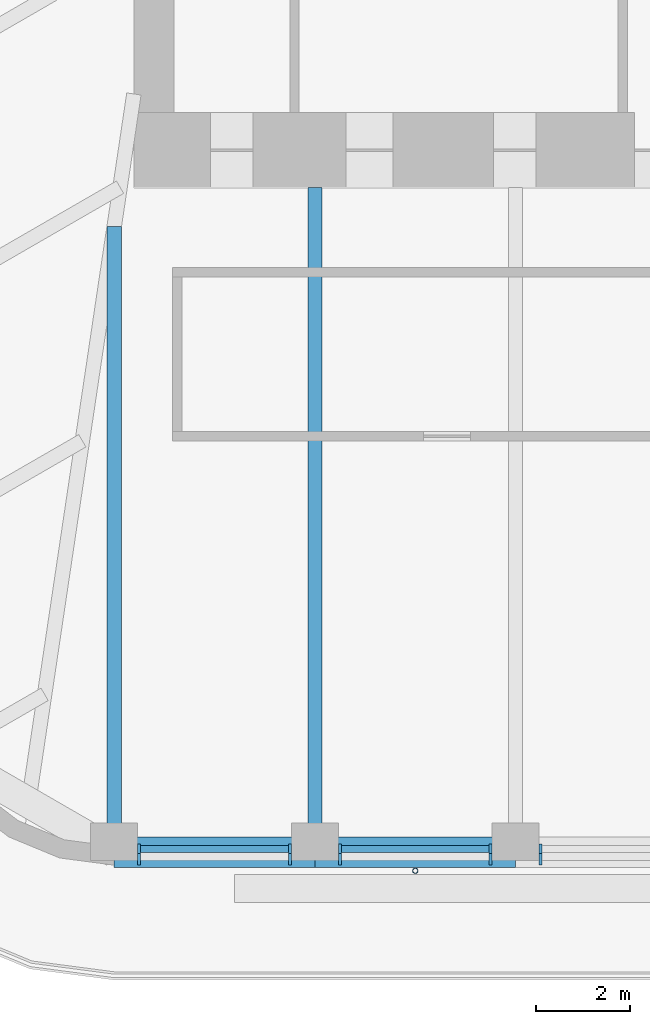
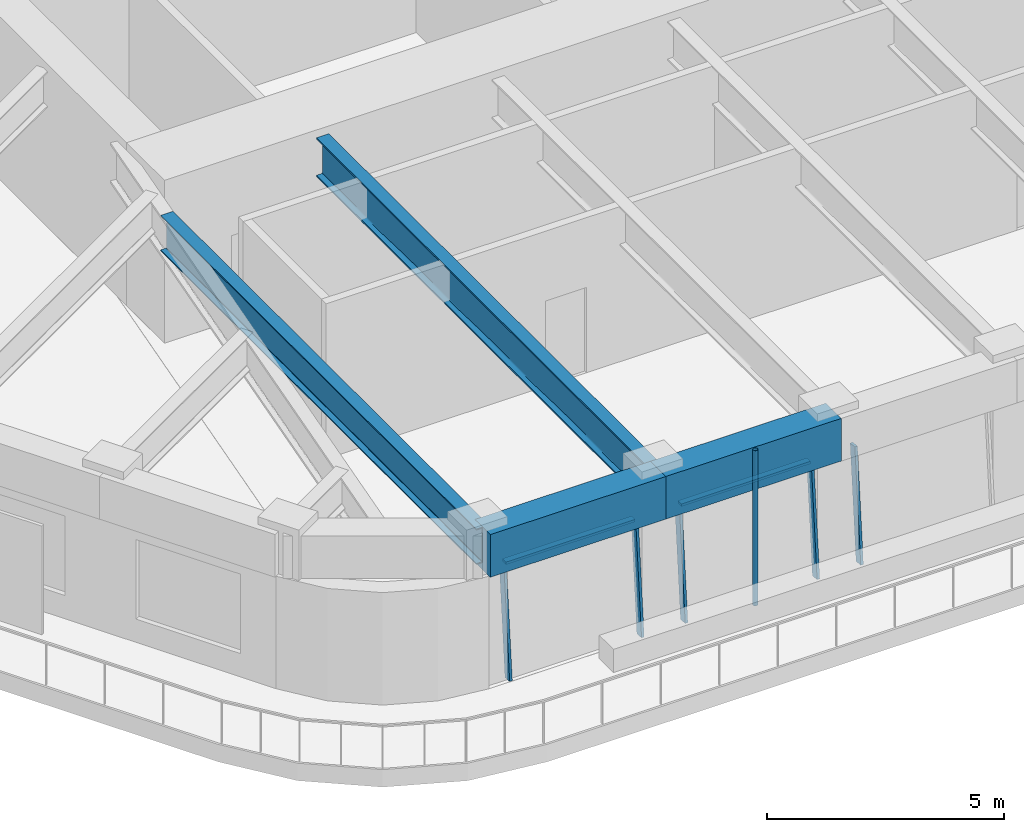
# One storey, part 2 of 19: 8 members, 4 beams, 3 elements without a shape of their own.
"""IFC4 building model written with IfcOpenShell, lengths in metres."""

import ifcopenshell
import ifcopenshell.guid

model = None  # the IFC model being written
_history = None  # IfcOwnerHistory: only IFC2X3 demands one
_inside = {}  # id of a spatial element -> (the spatial element, [elements in it])
_under = {}  # id of a project, library or spatial element -> (it, [spatial elements below it])
_declared = {}  # id of a project -> (the project, [libraries it declares])
_typed = {}  # id of a type object -> (the type object, [elements of that type])
_made_of = {}  # id of a material, layer set ... -> (it, [elements and type objects made of it])


def new_model(schema):
    """Start an empty IFC model of exactly this schema.

    Asked for "IFC4X3", IfcOpenShell would pick the latest addendum, in which some entities
    have other attributes; the version numbers below select the first issue.
    IFC2X3 requires an IfcOwnerHistory on every rooted entity: one is made here for all.
    """
    global model, _history
    if schema == "IFC4X3":
        model = ifcopenshell.file(schema_version=(4, 3, 0, 0))
    else:
        model = ifcopenshell.file(schema=schema)
    _inside.clear()
    _under.clear()
    _declared.clear()
    _typed.clear()
    _made_of.clear()
    _history = None
    if model.schema == "IFC2X3":
        org = make("IfcOrganization", Name="unknown")
        user = make(
            "IfcPersonAndOrganization",
            ThePerson=make("IfcPerson", FamilyName="unknown"),
            TheOrganization=org,
        )
        app = make(
            "IfcApplication",
            ApplicationDeveloper=org,
            Version="unknown",
            ApplicationFullName="unknown",
            ApplicationIdentifier="unknown",
        )
        _history = make(
            "IfcOwnerHistory",
            OwningUser=user,
            OwningApplication=app,
            ChangeAction="ADDED",
            CreationDate=0,
        )
    return model


def make(cls, **values):
    """One entity of the class cls with the attributes given. An attribute that is None is left unset."""
    return model.create_entity(
        cls, **{name: value for name, value in values.items() if value is not None}
    )


def rooted(cls, **values):
    """An entity with a GlobalId (a new one), such as an element, a storey or a relation."""
    return make(cls, GlobalId=ifcopenshell.guid.new(), OwnerHistory=_history, **values)


def si_unit(unit_type, name, prefix=None):
    """IfcSIUnit, for example si_unit("LENGTHUNIT", "METRE", prefix="MILLI")."""
    return make("IfcSIUnit", UnitType=unit_type, Prefix=prefix, Name=name)


def assignment(units):
    """IfcUnitAssignment: the units of a project."""
    return None if units is None else make("IfcUnitAssignment", Units=units)


def point(xyz):
    """IfcCartesianPoint."""
    return None if xyz is None else make("IfcCartesianPoint", Coordinates=xyz)


def direction(xyz):
    """IfcDirection."""
    return None if xyz is None else make("IfcDirection", DirectionRatios=xyz)


def frame(location, z_axis=None, x_axis=None):
    """IfcAxis2Placement3D, a coordinate frame: its origin and axes. An axis left out is left unset."""
    return make(
        "IfcAxis2Placement3D",
        Location=point(location),
        Axis=direction(z_axis),
        RefDirection=direction(x_axis),
    )


def frame_2d(location, x_axis=None):
    """IfcAxis2Placement2D, a coordinate frame in the plane: its origin and x axis."""
    return make(
        "IfcAxis2Placement2D", Location=point(location), RefDirection=direction(x_axis)
    )


def origin():
    """The frame at (0, 0, 0) with its axes left unset."""
    return frame((0.0, 0.0, 0.0))


def origin_2d():
    """The frame at (0, 0) in the plane with its x axis left unset."""
    return frame_2d((0.0, 0.0))


def place(relative_to, where):
    """IfcLocalPlacement: puts the frame where relative to a parent placement (None: the world)."""
    return make(
        "IfcLocalPlacement", PlacementRelTo=relative_to, RelativePlacement=where
    )


def context(
    kind, dimensions, precision=None, world=None, true_north=None, identifier=None
):
    """IfcGeometricRepresentationContext, for example the 3D "Model" context."""
    return make(
        "IfcGeometricRepresentationContext",
        ContextIdentifier=identifier,
        ContextType=kind,
        CoordinateSpaceDimension=dimensions,
        Precision=precision,
        WorldCoordinateSystem=world,
        TrueNorth=true_north,
    )


def subcontext(parent, identifier, kind, view, scale=None):
    """IfcGeometricRepresentationSubContext, for example "Body" below "Model"."""
    return make(
        "IfcGeometricRepresentationSubContext",
        ContextIdentifier=identifier,
        ContextType=kind,
        ParentContext=parent,
        TargetScale=scale,
        TargetView=view,
    )


def project(units=None, contexts=None):
    """IfcProject with its units and contexts."""
    return rooted(
        "IfcProject",
        Name="project",
        RepresentationContexts=contexts,
        UnitsInContext=assignment(units),
    )


def spatial(cls, under=None, at=None, **own):
    """A site, building, storey or space (cls), placed at a placement, below another one or the project."""
    s = rooted(cls, ObjectPlacement=at, **own)
    if under is not None:
        _under.setdefault(under.id(), (under, []))[1].append(s)
    return s


def profile(cls, at=None, kind="AREA", **sizes):
    """A parametric profile (cls). Its sizes go by their IFC names, for example OverallWidth=200.0."""
    return make(cls, ProfileType=kind, Position=at, **sizes)


def rectangle(**sizes):
    """IfcRectangleProfileDef."""
    return profile("IfcRectangleProfileDef", **sizes)


def hollow_circle(**sizes):
    """IfcCircleHollowProfileDef."""
    return profile("IfcCircleHollowProfileDef", **sizes)


def i_section(**sizes):
    """IfcIShapeProfileDef."""
    return profile("IfcIShapeProfileDef", **sizes)


def extrude(swept, where, along, depth):
    """IfcExtrudedAreaSolid: the profile swept, set in the frame where, extruded along a direction by depth."""
    return make(
        "IfcExtrudedAreaSolid",
        SweptArea=swept,
        Position=where,
        ExtrudedDirection=direction(along),
        Depth=depth,
    )


def shape(context_of_items, identifier, shape_type, items):
    """IfcShapeRepresentation: the items that make up one representation, for example the "Body"."""
    return make(
        "IfcShapeRepresentation",
        ContextOfItems=context_of_items,
        RepresentationIdentifier=identifier,
        RepresentationType=shape_type,
        Items=items,
    )


def material(Name=None, Category=None):
    """IfcMaterial."""
    return make("IfcMaterial", Name=Name, Category=Category)


def material_profile(
    of_material, cross_section, Name=None, Category=None, Priority=None
):
    """IfcMaterialProfile: a cross section and its material."""
    return make(
        "IfcMaterialProfile",
        Name=Name,
        Material=of_material,
        Profile=cross_section,
        Priority=Priority,
        Category=Category,
    )


def profile_set(profiles, Name=None, composite=None):
    """IfcMaterialProfileSet."""
    return make(
        "IfcMaterialProfileSet",
        Name=Name,
        MaterialProfiles=profiles,
        CompositeProfile=composite,
    )


def made_of(thing, what):
    """Note that an element or type object is made of a material, layer set ...; save() writes the relation."""
    if what is not None:
        _made_of.setdefault(what.id(), (what, []))[1].append(thing)
    return thing


def type_object(cls, material=None, **own):
    """A type object (cls), such as IfcWallType, which elements share."""
    return made_of(rooted(cls, **own), material)


def element(
    cls,
    number,
    at=None,
    inside=None,
    cuts=None,
    type_object=None,
    material=None,
    context=None,
    identifier="Body",
    shape_type=None,
    held_by="IfcProductDefinitionShape",
    body=None,
    shapes=None,
    **own,
):
    """One element of the class cls, such as IfcWall. Its Tag is "e" and its number.

    at: its placement. inside: the storey or other place that contains it. cuts: it is an
    opening in that element (IfcRelVoidsElement). A single representation is given by context,
    identifier, shape_type and body (its items); several are given by shapes. held_by: the class
    of the entity that holds the representations. save() writes the other relations.
    """
    e = rooted(cls, Tag="e%d" % number, ObjectPlacement=at, **own)
    if body is not None:
        shapes = [shape(context, identifier, shape_type, body)]
    if shapes is not None:
        e.Representation = make(held_by, Representations=shapes)
    if inside is not None:
        _inside.setdefault(inside.id(), (inside, []))[1].append(e)
    if cuts is not None:
        rooted(
            "IfcRelVoidsElement", RelatingBuildingElement=cuts, RelatedOpeningElement=e
        )
    if type_object is not None:
        _typed.setdefault(type_object.id(), (type_object, []))[1].append(e)
    return made_of(e, material)


def aggregate(whole, parts):
    """IfcRelAggregates: a whole, such as a stair, and the parts it consists of."""
    return rooted("IfcRelAggregates", RelatingObject=whole, RelatedObjects=parts)


def save(model, path):
    """Write the relations noted so far, then the file.

    IfcRelAggregates (storeys below a building ...), IfcRelContainedInSpatialStructure (elements
    in a storey), IfcRelDefinesByType, IfcRelAssociatesMaterial and IfcRelDeclares: one each for
    every whole, place, type object, material and project.
    """
    for whole, parts in _under.values():
        aggregate(whole, parts)
    for where, things in _inside.values():
        rooted(
            "IfcRelContainedInSpatialStructure",
            RelatedElements=things,
            RelatingStructure=where,
        )
    for kind, things in _typed.values():
        rooted("IfcRelDefinesByType", RelatedObjects=things, RelatingType=kind)
    for what, things in _made_of.values():
        rooted("IfcRelAssociatesMaterial", RelatedObjects=things, RelatingMaterial=what)
    for by, libraries in _declared.values():
        rooted("IfcRelDeclares", RelatingContext=by, RelatedDefinitions=libraries)
    model.write(path)


model = new_model("IFC4")

# Units and contexts
model_context = context("Model", 3, precision=1e-05, world=origin(), true_north=direction((0.0, 1.0)))
body_context = subcontext(model_context, "Body", "Model", "MODEL_VIEW")
ifc_project = project(units=[si_unit("LENGTHUNIT", "METRE"), si_unit("AREAUNIT", "SQUARE_METRE"), si_unit("VOLUMEUNIT", "CUBIC_METRE"), si_unit("PLANEANGLEUNIT", "RADIAN"), si_unit("MASSUNIT", "GRAM", prefix="KILO")], contexts=[model_context])

# Site, building, storey
site_placement = place(None, origin())
site = spatial("IfcSite", under=ifc_project, at=site_placement, CompositionType="ELEMENT")
building_placement = place(site_placement, origin())
building = spatial("IfcBuilding", under=site, at=building_placement, Name="Tarfa Lantern Tower", CompositionType="ELEMENT")
storey_placement = place(building_placement, frame((0.0, 0.0, 340.89990234375)))
storey = spatial("IfcBuildingStorey", under=building, at=storey_placement, Name="L77", CompositionType="ELEMENT", Elevation=340.89990234375)

# Curtain wall, members
ifc_material_1 = material(Name="Aluminium framed curtain wall", Category="aluminium")
curtain_wall_type = type_object("IfcCurtainWallType", Name="CW4 CANTED GLAZING EXECUTIVE ZONE 2900", PredefinedType="USERDEFINED", material=ifc_material_1)
curtain_wall_1_placement = place(storey_placement, origin())
curtain_wall_1 = element("IfcCurtainWall", 1, at=curtain_wall_1_placement, inside=storey, type_object=curtain_wall_type, Name="CW4 S L77", ObjectType="CURTAIN WALL", PredefinedType="USERDEFINED")
ifc_material_2 = material(Name="Aluminium mullion", Category="aluminium")
ifc_material_profile_1 = material_profile(ifc_material_2, rectangle(XDim=0.06494140625, YDim=0.199951171875, at=origin_2d()), Name="AL MULLION 65x200")
ifc_profile_set_1 = profile_set([ifc_material_profile_1], Name="Aluminium mullion")
member_type_1 = type_object("IfcMemberType", Name="CWM1 MULLION 65x200", PredefinedType="MULLION", material=ifc_profile_set_1)
member_1_placement = place(storey_placement, frame((-12.3134765625, -26.64990234375, 0.0), z_axis=(0.0, 0.085884035992, 0.996305140186), x_axis=(-1.0, 0.0, 0.0)))
member_1 = element("IfcMember", 2, at=member_1_placement, type_object=member_type_1, Name="CW4 mullion 1", PredefinedType="MULLION", context=body_context, shape_type="SweptSolid", body=[
    extrude(rectangle(XDim=0.06494140625, YDim=0.199951171875, at=origin_2d()), origin(), (0.0, 0.0, 1.0), 2.910888671875),
])
member_2_placement = place(storey_placement, frame((-9.096435546875, -26.64990234375, 0.0), z_axis=(0.0, 0.085884035992, 0.996305140186), x_axis=(-1.0, 0.0, 0.0)))
member_2 = element("IfcMember", 3, at=member_2_placement, type_object=member_type_1, Name="CW4 mullion 2", PredefinedType="MULLION", context=body_context, shape_type="SweptSolid", body=[
    extrude(rectangle(XDim=0.06494140625, YDim=0.199951171875, at=origin_2d()), origin(), (0.0, 0.0, 1.0), 2.910888671875),
])

curtain_wall_2_placement = place(storey_placement, origin())
curtain_wall_2 = element("IfcCurtainWall", 4, at=curtain_wall_2_placement, inside=storey, type_object=curtain_wall_type, Name="CW4 S L77", ObjectType="CURTAIN WALL", PredefinedType="USERDEFINED")
member_3_placement = place(storey_placement, frame((-8.031494140625, -26.64990234375, 0.0), z_axis=(0.0, 0.085884035992, 0.996305140186), x_axis=(-1.0, 0.0, 0.0)))
member_3 = element("IfcMember", 5, at=member_3_placement, type_object=member_type_1, Name="CW4 mullion 1", PredefinedType="MULLION", context=body_context, shape_type="SweptSolid", body=[
    extrude(rectangle(XDim=0.06494140625, YDim=0.199951171875, at=origin_2d()), origin(), (0.0, 0.0, 1.0), 2.910888671875),
])
member_4_placement = place(storey_placement, frame((-4.814453125, -26.64990234375, 0.0), z_axis=(0.0, 0.085884035992, 0.996305140186), x_axis=(-1.0, 0.0, 0.0)))
member_4 = element("IfcMember", 6, at=member_4_placement, type_object=member_type_1, Name="CW4 mullion 2", PredefinedType="MULLION", context=body_context, shape_type="SweptSolid", body=[
    extrude(rectangle(XDim=0.06494140625, YDim=0.199951171875, at=origin_2d()), origin(), (0.0, 0.0, 1.0), 2.910888671875),
])

# Curtain wall, member
curtain_wall_3_placement = place(storey_placement, origin())
curtain_wall_3 = element("IfcCurtainWall", 7, at=curtain_wall_3_placement, inside=storey, type_object=curtain_wall_type, Name="CW4 S L77", ObjectType="CURTAIN WALL", PredefinedType="USERDEFINED")
member_5_placement = place(storey_placement, frame((-3.74951171875, -26.64990234375, 0.0), z_axis=(0.0, 0.085884035992, 0.996305140186), x_axis=(-1.0, 0.0, 0.0)))
member_5 = element("IfcMember", 8, at=member_5_placement, type_object=member_type_1, Name="CW4 mullion 1", PredefinedType="MULLION", context=body_context, shape_type="SweptSolid", body=[
    extrude(rectangle(XDim=0.06494140625, YDim=0.199951171875, at=origin_2d()), origin(), (0.0, 0.0, 1.0), 2.910888671875),
])
aggregate(curtain_wall_3, [member_5])

# Member
ifc_material_3 = material(Name="Aluminium transom", Category="aluminium")
ifc_material_profile_2 = material_profile(ifc_material_3, rectangle(XDim=0.14990234375, YDim=0.06494140625, at=origin_2d()), Name="AL TRANSOM 150x65")
ifc_profile_set_2 = profile_set([ifc_material_profile_2], Name="Aluminium transom")
member_type_2 = type_object("IfcMemberType", Name="CWT1 TRANSOM 150x65", PredefinedType="USERDEFINED", material=ifc_profile_set_2)
member_6_placement = place(storey_placement, frame((-12.281005859375, -26.40283203125, 2.86767578125), z_axis=(1.0, 0.0, 0.0), x_axis=(0.0, 1.0, 0.0)))
member_6 = element("IfcMember", 9, at=member_6_placement, type_object=member_type_2, Name="CW4 transom 1.2", ObjectType="TRANSOM", PredefinedType="USERDEFINED", context=body_context, shape_type="SweptSolid", body=[
    extrude(rectangle(XDim=0.14990234375, YDim=0.06494140625, at=origin_2d()), origin(), (0.0, 0.0, 1.0), 3.15185546875),
])

aggregate(curtain_wall_1, [member_1, member_2, member_6])

member_7_placement = place(storey_placement, frame((-7.9990234375, -26.40283203125, 2.86767578125), z_axis=(1.0, 0.0, 0.0), x_axis=(0.0, 1.0, 0.0)))
member_7 = element("IfcMember", 10, at=member_7_placement, type_object=member_type_2, Name="CW4 transom 1.2", ObjectType="TRANSOM", PredefinedType="USERDEFINED", context=body_context, shape_type="SweptSolid", body=[
    extrude(rectangle(XDim=0.14990234375, YDim=0.06494140625, at=origin_2d()), origin(), (0.0, 0.0, 1.0), 3.152099609375),
])

aggregate(curtain_wall_2, [member_3, member_4, member_7])

# Beams
ifc_material_4 = material(Name="Concrete C80/95", Category="concrete")
ifc_material_profile_3 = material_profile(ifc_material_4, rectangle(XDim=0.64990234375, YDim=1.10009765625, at=origin_2d()), Name="RC 650x1100")
ifc_profile_set_3 = profile_set([ifc_material_profile_3], Name="Concrete C80/95")
beam_type_1 = type_object("IfcBeamType", Name="EB4 RC 650x1100", PredefinedType="SPANDREL", material=ifc_profile_set_3)
for number, where, z_axis, x_axis, name in (
    (11, (-12.845947265625, -26.469970703125, 3.4501953125), (1.0, 0.0, 0.0), (0.0, 1.0, 0.0), "Edge beam S0"),
    (12, (-8.56396484375, -26.469970703125, 3.4501953125), (1.0, 0.0, 0.0), (0.0, 1.0, 0.0), "Edge beam S1"),
):
    element("IfcBeam", number, at=place(storey_placement, frame(where, z_axis=z_axis, x_axis=x_axis)), inside=storey, type_object=beam_type_1, Name=name, PredefinedType="SPANDREL", context=body_context, shape_type="SweptSolid", body=[
        extrude(rectangle(XDim=0.64990234375, YDim=1.10009765625, at=origin_2d()), origin(), (0.0, 0.0, 1.0), 4.281982421875),
    ])

# Member
ifc_material_5 = material(Name="Steel S355", Category="steel")
ifc_material_profile_4 = material_profile(ifc_material_5, hollow_circle(Radius=0.05712890625, WallThickness=0.00634765625, at=origin_2d()), Name="CHS114.3x6.3")
ifc_profile_set_4 = profile_set([ifc_material_profile_4], Name="Steel S355")
member_type_3 = type_object("IfcMemberType", Name="TR1 GREEN WALL TRELLIS CHS114.3x6.3", PredefinedType="USERDEFINED", material=ifc_profile_set_4)
member_8_placement = place(storey_placement, frame((-6.423095703125, -26.8701171875, 0.0), z_axis=(0.0, 0.0, 1.0), x_axis=(1.0, 0.0, 0.0)))
element("IfcMember", 13, at=member_8_placement, inside=storey, type_object=member_type_3, Name="Trellis post S 1", ObjectType="TRELLIS", PredefinedType="USERDEFINED", context=body_context, shape_type="SweptSolid", body=[
    extrude(hollow_circle(Radius=0.05712890625, WallThickness=0.00634765625, at=origin_2d()), origin(), (0.0, 0.0, 1.0), 4.0),
])

# Beams
ifc_material_6 = material(Name="Steel S460M", Category="steel")
ifc_material_profile_5 = material_profile(ifc_material_6, i_section(OverallWidth=0.302001953125, OverallDepth=1.008056640625, WebThickness=0.02099609375, FlangeThickness=0.0400390625, FilletRadius=0.030029296875, at=origin_2d()), Name="UB1016x305x349")
ifc_profile_set_5 = profile_set([ifc_material_profile_5], Name="Steel S460M")
beam_type_2 = type_object("IfcBeamType", Name="UB1016x305x349", PredefinedType="BEAM", material=ifc_profile_set_5)
beam_1_placement = place(storey_placement, frame((-8.56396484375, -26.469970703125, 3.49609375), z_axis=(0.0, 1.0, 0.0), x_axis=(-1.0, 0.0, 0.0)))
element("IfcBeam", 14, at=beam_1_placement, inside=storey, type_object=beam_type_2, Name="Floor beam S1", PredefinedType="BEAM", context=body_context, shape_type="SweptSolid", body=[
    extrude(i_section(OverallWidth=0.302001953125, OverallDepth=1.008056640625, WebThickness=0.02099609375, FlangeThickness=0.0400390625, FilletRadius=0.030029296875, at=origin_2d()), origin(), (0.0, 0.0, 1.0), 14.169921875),
])
ifc_material_profile_6 = material_profile(ifc_material_6, i_section(OverallWidth=0.305419921875, OverallDepth=0.91845703125, WebThickness=0.017333984375, FlangeThickness=0.02783203125, FilletRadius=0.01904296875, at=origin_2d()), Name="UB914x305x253")
ifc_profile_set_6 = profile_set([ifc_material_profile_6], Name="Steel S460M")
beam_type_3 = type_object("IfcBeamType", Name="UB914x305x253", PredefinedType="BEAM", material=ifc_profile_set_6)
beam_2_placement = place(storey_placement, frame((-12.845947265625, -26.469970703125, 3.541015625), z_axis=(0.0, 1.0, 0.0), x_axis=(-1.0, 0.0, 0.0)))
element("IfcBeam", 15, at=beam_2_placement, inside=storey, type_object=beam_type_3, Name="Floor beam S0", PredefinedType="BEAM", context=body_context, shape_type="SweptSolid", body=[
    extrude(i_section(OverallWidth=0.305419921875, OverallDepth=0.91845703125, WebThickness=0.017333984375, FlangeThickness=0.02783203125, FilletRadius=0.01904296875, at=origin_2d()), origin(), (0.0, 0.0, 1.0), 13.33935546875),
])

save(model, "model.ifc")
